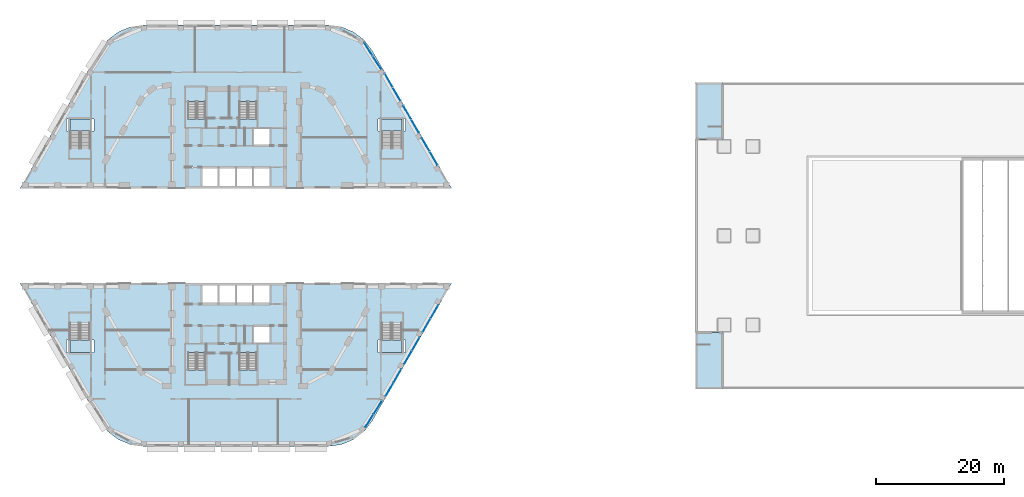
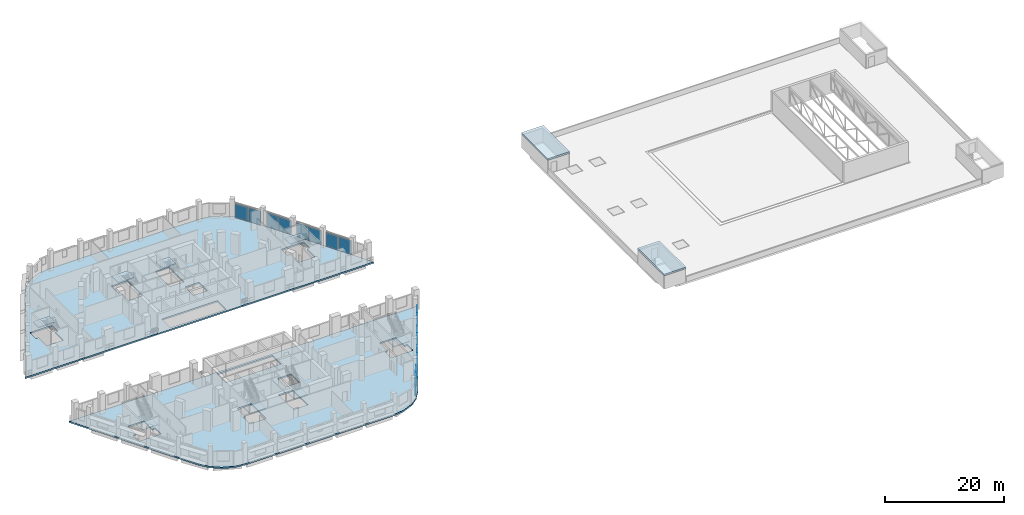
# One storey, part 14 of 33: 16 plates, 12 slabs, 16 elements without a shape of their own.
"""IFC4 building model written with IfcOpenShell, lengths in metres."""

from ifc_helpers import new_model, si_unit, direction, frame, origin, origin_2d, place, context, subcontext, project, spatial, polyline, rectangle, outline, extrude, material, layer, layer_set, type_object, element, aggregate, save


model = new_model("IFC4")

# Units and contexts
model_context = context("Model", 3, precision=1e-05, world=origin(), true_north=direction((0.0, 1.0)))
body_context = subcontext(model_context, "Body", "Model", "MODEL_VIEW")
ifc_project = project(units=[si_unit("LENGTHUNIT", "METRE"), si_unit("AREAUNIT", "SQUARE_METRE"), si_unit("VOLUMEUNIT", "CUBIC_METRE"), si_unit("PLANEANGLEUNIT", "RADIAN"), si_unit("MASSUNIT", "GRAM", prefix="KILO")], contexts=[model_context])

# Site, building, storey
site_placement = place(None, origin())
site = spatial("IfcSite", under=ifc_project, at=site_placement, CompositionType="ELEMENT")
building_placement = place(site_placement, origin())
building = spatial("IfcBuilding", under=site, at=building_placement, Name="Nakaniwa Court", CompositionType="ELEMENT")
storey_placement = place(building_placement, frame((0.0, 0.0, 19.800048828125)))
storey = spatial("IfcBuildingStorey", under=building, at=storey_placement, Name="L04", CompositionType="ELEMENT", Elevation=19.800048828125)

# Slabs
ifc_material_1 = material(Name="Concrete C100/115", Category="concrete")
ifc_layer_1 = layer(ifc_material_1, 0.300048828125)
ifc_layer_set_1 = layer_set([ifc_layer_1], Name="Concrete C100/115")
slab_type_1 = type_object("IfcSlabType", Name="Concrete C100/115 post tensioned floor slab 300", PredefinedType="FLOOR", material=ifc_layer_set_1)
slab_1_placement = place(storey_placement, frame((0.0, 0.0, -0.300048828125)))
element("IfcSlab", 1, at=slab_1_placement, inside=storey, type_object=slab_type_1, Name="FLOOR SLAB", PredefinedType="FLOOR", context=body_context, shape_type="SweptSolid", body=[
    extrude(outline(polyline([(101.362060546875, 51.0), (113.832763671875, 72.60009765625), (46.167236328125, 72.60009765625), (58.637939453125, 51.0), (59.909423828125, 49.343017578125), (61.566162109375, 48.07177734375), (63.49560546875, 47.272705078125), (65.566162109375, 47.0), (94.433837890625, 47.0), (96.50439453125, 47.272705078125), (98.433837890625, 48.07177734375), (100.090576171875, 49.343017578125), (101.362060546875, 51.0)]), holes=[polyline([(72.0849609375, 59.014892578125), (72.0849609375, 56.68505859375), (75.264892578125, 56.68505859375), (75.264892578125, 59.014892578125), (75.22509765625, 59.014892578125), (75.22509765625, 61.7099609375), (72.47509765625, 61.7099609375), (72.47509765625, 59.014892578125), (72.0849609375, 59.014892578125)]), polyline([(53.93505859375, 61.675048828125), (53.93505859375, 61.635009765625), (57.215087890625, 61.635009765625), (57.215087890625, 61.675048828125), (57.72509765625, 61.675048828125), (57.72509765625, 63.625), (57.215087890625, 63.625), (57.215087890625, 63.6650390625), (57.125, 63.6650390625), (57.125, 66.360107421875), (53.97509765625, 66.360107421875), (53.97509765625, 63.6650390625), (53.93505859375, 63.6650390625), (53.93505859375, 63.625), (53.425048828125, 63.625), (53.425048828125, 61.675048828125), (53.93505859375, 61.675048828125)]), polyline([(77.300048828125, 69.300048828125), (80.0, 69.300048828125), (82.699951171875, 69.300048828125), (85.39990234375, 69.300048828125), (85.39990234375, 72.199951171875), (82.699951171875, 72.199951171875), (80.0, 72.199951171875), (77.300048828125, 72.199951171875), (74.60009765625, 72.199951171875), (74.60009765625, 69.300048828125), (77.300048828125, 69.300048828125)]), polyline([(80.52490234375, 57.324951171875), (80.635009765625, 57.324951171875), (80.635009765625, 56.68505859375), (83.31494140625, 56.68505859375), (83.31494140625, 59.014892578125), (83.27490234375, 59.014892578125), (83.27490234375, 61.7099609375), (80.52490234375, 61.7099609375), (80.52490234375, 57.324951171875)]), polyline([(102.784912109375, 61.675048828125), (102.784912109375, 61.635009765625), (106.06494140625, 61.635009765625), (106.06494140625, 61.675048828125), (106.574951171875, 61.675048828125), (106.574951171875, 63.625), (106.06494140625, 63.625), (106.06494140625, 63.6650390625), (105.97509765625, 63.6650390625), (105.97509765625, 66.360107421875), (102.824951171875, 66.360107421875), (102.824951171875, 63.6650390625), (102.784912109375, 63.6650390625), (102.784912109375, 63.625), (102.27490234375, 63.625), (102.27490234375, 61.675048828125), (102.784912109375, 61.675048828125)]), polyline([(85.39990234375, 63.10009765625), (85.39990234375, 65.89990234375), (82.699951171875, 65.89990234375), (82.699951171875, 63.10009765625), (85.39990234375, 63.10009765625)])]), origin(), (0.0, 0.0, 1.0), 0.300048828125),
])
slab_2_placement = place(storey_placement, frame((0.0, 0.0, -0.300048828125)))
element("IfcSlab", 2, at=slab_2_placement, inside=storey, type_object=slab_type_1, Name="FLOOR SLAB", PredefinedType="FLOOR", context=body_context, shape_type="SweptSolid", body=[
    extrude(outline(polyline([(58.637939453125, 109.0), (46.167236328125, 87.39990234375), (113.832763671875, 87.39990234375), (101.362060546875, 109.0), (100.090576171875, 110.656982421875), (98.433837890625, 111.92822265625), (96.50439453125, 112.727294921875), (94.433837890625, 113.0), (65.566162109375, 113.0), (63.49560546875, 112.727294921875), (61.566162109375, 111.92822265625), (59.909423828125, 110.656982421875), (58.637939453125, 109.0)]), holes=[polyline([(82.699951171875, 90.699951171875), (80.0, 90.699951171875), (77.300048828125, 90.699951171875), (74.60009765625, 90.699951171875), (74.60009765625, 87.800048828125), (77.300048828125, 87.800048828125), (80.0, 87.800048828125), (82.699951171875, 87.800048828125), (85.39990234375, 87.800048828125), (85.39990234375, 90.699951171875), (82.699951171875, 90.699951171875)]), polyline([(57.175048828125, 96.3349609375), (57.215087890625, 96.3349609375), (57.215087890625, 96.375), (57.72509765625, 96.375), (57.72509765625, 98.324951171875), (57.215087890625, 98.324951171875), (57.215087890625, 98.364990234375), (53.93505859375, 98.364990234375), (53.93505859375, 98.324951171875), (53.425048828125, 98.324951171875), (53.425048828125, 96.375), (53.93505859375, 96.375), (53.93505859375, 96.3349609375), (54.02490234375, 96.3349609375), (54.02490234375, 93.639892578125), (57.175048828125, 93.639892578125), (57.175048828125, 96.3349609375)]), polyline([(75.264892578125, 100.985107421875), (75.264892578125, 103.31494140625), (72.0849609375, 103.31494140625), (72.0849609375, 100.985107421875), (72.47509765625, 100.985107421875), (72.47509765625, 98.2900390625), (75.22509765625, 98.2900390625), (75.22509765625, 100.985107421875), (75.264892578125, 100.985107421875)]), polyline([(85.39990234375, 94.10009765625), (85.39990234375, 96.89990234375), (82.699951171875, 96.89990234375), (82.699951171875, 94.10009765625), (85.39990234375, 94.10009765625)]), polyline([(106.02490234375, 96.3349609375), (106.06494140625, 96.3349609375), (106.06494140625, 96.375), (106.574951171875, 96.375), (106.574951171875, 98.324951171875), (106.06494140625, 98.324951171875), (106.06494140625, 98.364990234375), (102.784912109375, 98.364990234375), (102.784912109375, 98.324951171875), (102.27490234375, 98.324951171875), (102.27490234375, 96.375), (102.784912109375, 96.375), (102.784912109375, 96.3349609375), (102.875, 96.3349609375), (102.875, 93.639892578125), (106.02490234375, 93.639892578125), (106.02490234375, 96.3349609375)]), polyline([(83.27490234375, 100.985107421875), (83.31494140625, 100.985107421875), (83.31494140625, 103.31494140625), (80.635009765625, 103.31494140625), (80.635009765625, 102.675048828125), (80.52490234375, 102.675048828125), (80.52490234375, 98.2900390625), (83.27490234375, 98.2900390625), (83.27490234375, 100.985107421875)])]), origin(), (0.0, 0.0, 1.0), 0.300048828125),
])
ifc_material_2 = material(Name="Concrete C40/50", Category="concrete")
ifc_layer_2 = layer(ifc_material_2, 0.35009765625)
ifc_layer_set_2 = layer_set([ifc_layer_2], Name="Concrete C40/50")
slab_type_2 = type_object("IfcSlabType", Name="Hall roof slab 350", PredefinedType="ROOF", material=ifc_layer_set_2)
slab_3_placement = place(storey_placement, frame((0.0, 0.0, 2.75)))
element("IfcSlab", 3, at=slab_3_placement, inside=storey, type_object=slab_type_2, Name="Stair 1 head house roof", PredefinedType="ROOF", context=body_context, shape_type="SweptSolid", body=[
    extrude(outline(polyline([(156.300048828125, 56.02490234375), (156.300048828125, 64.909912109375), (152.02490234375, 64.909912109375), (152.02490234375, 56.02490234375), (156.300048828125, 56.02490234375)])), origin(), (0.0, 0.0, 1.0), 0.349853515625),
])
slab_4_placement = place(storey_placement, frame((0.0, 0.0, 2.75)))
element("IfcSlab", 4, at=slab_4_placement, inside=storey, type_object=slab_type_2, Name="Stair 2 head house roof", PredefinedType="ROOF", context=body_context, shape_type="SweptSolid", body=[
    extrude(outline(polyline([(156.300048828125, 95.090087890625), (156.300048828125, 103.97509765625), (152.02490234375, 103.97509765625), (152.02490234375, 95.090087890625), (156.300048828125, 95.090087890625)])), origin(), (0.0, 0.0, 1.0), 0.349853515625),
])

# Curtain wall, plates
ifc_material_3 = material(Name="Black anodised aluminium frame with dark low-E laminated double glazing", Category="aluminium")
ifc_layer_3 = layer(ifc_material_3, 0.199951171875)
ifc_layer_set_3 = layer_set([ifc_layer_3], Name="Black anodised aluminium frame with dark low-E laminated double glazing")
curtain_wall_type = type_object("IfcCurtainWallType", Name="Podium unitised curtain wall", PredefinedType="NOTDEFINED", material=ifc_layer_set_3)
curtain_wall_1_placement = place(storey_placement, origin())
curtain_wall_1 = element("IfcCurtainWall", 5, at=curtain_wall_1_placement, inside=storey, type_object=curtain_wall_type, Name="L04 curtain wall CW1 00", PredefinedType="NOTDEFINED")
ifc_material_4 = material(Name="Dark toughened glass", Category="glass")
ifc_layer_4 = layer(ifc_material_4, 0.008, Name="Outer pane")
ifc_material_5 = material(Name="Argon filled cavity")
ifc_layer_5 = layer(ifc_material_5, 0.016, Name="Cavity")
ifc_material_6 = material(Name="Dark laminated safety glass", Category="glass")
ifc_layer_6 = layer(ifc_material_6, 0.008, Name="Inner pane")
ifc_layer_set_4 = layer_set([ifc_layer_4, ifc_layer_5, ifc_layer_6], Name="Dark low-E laminated double glazing")
plate_type = type_object("IfcPlateType", Name="Podium unitised curtain wall glass panel", PredefinedType="CURTAIN_PANEL", material=ifc_layer_set_4)
plate_1_placement = place(storey_placement, frame((104.056640625, 55.8671875, 0.050048828125), z_axis=(0.0, 0.0, 1.0), x_axis=(0.499979299736, 0.866037354758, 0.0)))
plate_1 = element("IfcPlate", 6, at=plate_1_placement, type_object=plate_type, Name="CW1 panel 1.1", PredefinedType="CURTAIN_PANEL", context=body_context, shape_type="SweptSolid", body=[
    extrude(rectangle(XDim=2.40771484375, YDim=0.031982421875, at=origin_2d()), origin(), (0.0, 0.0, 1.0), 2.89990234375),
])
plate_2_placement = place(storey_placement, frame((105.29296875, 58.008544921875, 0.050048828125), z_axis=(0.0, 0.0, 1.0), x_axis=(0.499979299736, 0.866037354758, 0.0)))
plate_2 = element("IfcPlate", 7, at=plate_2_placement, type_object=plate_type, Name="CW1 panel 2.1", PredefinedType="CURTAIN_PANEL", context=body_context, shape_type="SweptSolid", body=[
    extrude(rectangle(XDim=2.40771484375, YDim=0.031982421875, at=origin_2d()), origin(), (0.0, 0.0, 1.0), 2.89990234375),
])
aggregate(curtain_wall_1, [plate_1, plate_2])

curtain_wall_2_placement = place(storey_placement, origin())
curtain_wall_2 = element("IfcCurtainWall", 8, at=curtain_wall_2_placement, inside=storey, type_object=curtain_wall_type, Name="L04 curtain wall CW1 01", PredefinedType="NOTDEFINED")
plate_3_placement = place(storey_placement, frame((106.957763671875, 60.89208984375, 0.050048828125), z_axis=(0.0, 0.0, 1.0), x_axis=(0.499987941889, 0.866032365426, 0.0)))
plate_3 = element("IfcPlate", 9, at=plate_3_placement, type_object=plate_type, Name="CW1 panel 1.1", PredefinedType="CURTAIN_PANEL", context=body_context, shape_type="SweptSolid", body=[
    extrude(rectangle(XDim=2.40771484375, YDim=0.031982421875, at=origin_2d()), origin(), (0.0, 0.0, 1.0), 2.89990234375),
])
plate_4_placement = place(storey_placement, frame((108.194091796875, 63.033447265625, 0.050048828125), z_axis=(0.0, 0.0, 1.0), x_axis=(0.499987941889, 0.866032365426, 0.0)))
plate_4 = element("IfcPlate", 10, at=plate_4_placement, type_object=plate_type, Name="CW1 panel 2.1", PredefinedType="CURTAIN_PANEL", context=body_context, shape_type="SweptSolid", body=[
    extrude(rectangle(XDim=2.40771484375, YDim=0.031982421875, at=origin_2d()), origin(), (0.0, 0.0, 1.0), 2.89990234375),
])
aggregate(curtain_wall_2, [plate_3, plate_4])

curtain_wall_3_placement = place(storey_placement, origin())
curtain_wall_3 = element("IfcCurtainWall", 11, at=curtain_wall_3_placement, inside=storey, type_object=curtain_wall_type, Name="L04 curtain wall CW1 02", PredefinedType="NOTDEFINED")
plate_5_placement = place(storey_placement, frame((109.85888671875, 65.9169921875, 0.050048828125), z_axis=(0.0, 0.0, 1.0), x_axis=(0.500002911009, 0.866023723106, 0.0)))
plate_5 = element("IfcPlate", 12, at=plate_5_placement, type_object=plate_type, Name="CW1 panel 1.1", PredefinedType="CURTAIN_PANEL", context=body_context, shape_type="SweptSolid", body=[
    extrude(rectangle(XDim=2.40771484375, YDim=0.031982421875, at=origin_2d()), origin(), (0.0, 0.0, 1.0), 2.89990234375),
])
plate_6_placement = place(storey_placement, frame((111.09521484375, 68.058349609375, 0.050048828125), z_axis=(0.0, 0.0, 1.0), x_axis=(0.500002911009, 0.866023723106, 0.0)))
plate_6 = element("IfcPlate", 13, at=plate_6_placement, type_object=plate_type, Name="CW1 panel 2.1", PredefinedType="CURTAIN_PANEL", context=body_context, shape_type="SweptSolid", body=[
    extrude(rectangle(XDim=2.40771484375, YDim=0.031982421875, at=origin_2d()), origin(), (0.0, 0.0, 1.0), 2.89990234375),
])
aggregate(curtain_wall_3, [plate_5, plate_6])

curtain_wall_4_placement = place(storey_placement, origin())
curtain_wall_4 = element("IfcCurtainWall", 14, at=curtain_wall_4_placement, inside=storey, type_object=curtain_wall_type, Name="L04 curtain wall CW1 26", PredefinedType="NOTDEFINED")
plate_7_placement = place(storey_placement, frame((100.89794921875, 50.982177734375, 0.050048828125), z_axis=(0.0, 0.0, 1.0), x_axis=(0.534596725914, 0.845107295343, 0.0)))
plate_7 = element("IfcPlate", 15, at=plate_7_placement, type_object=plate_type, Name="CW1 panel 1.1", PredefinedType="CURTAIN_PANEL", context=body_context, shape_type="SweptSolid", body=[
    extrude(rectangle(XDim=2.413330078125, YDim=0.031982421875, at=origin_2d()), origin(), (0.0, 0.0, 1.0), 2.89990234375),
])
plate_8_placement = place(storey_placement, frame((102.222900390625, 53.07666015625, 0.050048828125), z_axis=(0.0, 0.0, 1.0), x_axis=(0.534596725914, 0.845107295343, 0.0)))
plate_8 = element("IfcPlate", 16, at=plate_8_placement, type_object=plate_type, Name="CW1 panel 2.1", PredefinedType="CURTAIN_PANEL", context=body_context, shape_type="SweptSolid", body=[
    extrude(rectangle(XDim=2.413330078125, YDim=0.031982421875, at=origin_2d()), origin(), (0.0, 0.0, 1.0), 2.89990234375),
])
aggregate(curtain_wall_4, [plate_7, plate_8])

curtain_wall_5_placement = place(storey_placement, origin())
curtain_wall_5 = element("IfcCurtainWall", 17, at=curtain_wall_5_placement, inside=storey, type_object=curtain_wall_type, Name="L04 curtain wall CW1 40", PredefinedType="NOTDEFINED")
plate_9_placement = place(storey_placement, frame((110.993896484375, 92.1171875, 0.050048828125), z_axis=(0.0, 0.0, 1.0), x_axis=(-0.499987941889, 0.866032365426, 0.0)))
plate_9 = element("IfcPlate", 18, at=plate_9_placement, type_object=plate_type, Name="CW1 panel 1.1", PredefinedType="CURTAIN_PANEL", context=body_context, shape_type="SweptSolid", body=[
    extrude(rectangle(XDim=2.40771484375, YDim=0.031982421875, at=origin_2d()), origin(), (0.0, 0.0, 1.0), 2.89990234375),
])
plate_10_placement = place(storey_placement, frame((109.757568359375, 94.258544921875, 0.050048828125), z_axis=(0.0, 0.0, 1.0), x_axis=(-0.499987941889, 0.866032365426, 0.0)))
plate_10 = element("IfcPlate", 19, at=plate_10_placement, type_object=plate_type, Name="CW1 panel 2.1", PredefinedType="CURTAIN_PANEL", context=body_context, shape_type="SweptSolid", body=[
    extrude(rectangle(XDim=2.40771484375, YDim=0.031982421875, at=origin_2d()), origin(), (0.0, 0.0, 1.0), 2.89990234375),
])
aggregate(curtain_wall_5, [plate_9, plate_10])

curtain_wall_6_placement = place(storey_placement, origin())
curtain_wall_6 = element("IfcCurtainWall", 20, at=curtain_wall_6_placement, inside=storey, type_object=curtain_wall_type, Name="L04 curtain wall CW1 41", PredefinedType="NOTDEFINED")
plate_11_placement = place(storey_placement, frame((108.0927734375, 97.14208984375, 0.050048828125), z_axis=(0.0, 0.0, 1.0), x_axis=(-0.499994268761, 0.866028712692, 0.0)))
plate_11 = element("IfcPlate", 21, at=plate_11_placement, type_object=plate_type, Name="CW1 panel 1.1", PredefinedType="CURTAIN_PANEL", context=body_context, shape_type="SweptSolid", body=[
    extrude(rectangle(XDim=2.40771484375, YDim=0.031982421875, at=origin_2d()), origin(), (0.0, 0.0, 1.0), 2.89990234375),
])
plate_12_placement = place(storey_placement, frame((106.8564453125, 99.283447265625, 0.050048828125), z_axis=(0.0, 0.0, 1.0), x_axis=(-0.499994268761, 0.866028712692, 0.0)))
plate_12 = element("IfcPlate", 22, at=plate_12_placement, type_object=plate_type, Name="CW1 panel 2.1", PredefinedType="CURTAIN_PANEL", context=body_context, shape_type="SweptSolid", body=[
    extrude(rectangle(XDim=2.40771484375, YDim=0.031982421875, at=origin_2d()), origin(), (0.0, 0.0, 1.0), 2.89990234375),
])
aggregate(curtain_wall_6, [plate_11, plate_12])

curtain_wall_7_placement = place(storey_placement, origin())
curtain_wall_7 = element("IfcCurtainWall", 23, at=curtain_wall_7_placement, inside=storey, type_object=curtain_wall_type, Name="L04 curtain wall CW1 42", PredefinedType="NOTDEFINED")
plate_13_placement = place(storey_placement, frame((105.19140625, 102.1669921875, 0.050048828125), z_axis=(0.0, 0.0, 1.0), x_axis=(-0.499987941889, 0.866032365426, 0.0)))
plate_13 = element("IfcPlate", 24, at=plate_13_placement, type_object=plate_type, Name="CW1 panel 1.1", PredefinedType="CURTAIN_PANEL", context=body_context, shape_type="SweptSolid", body=[
    extrude(rectangle(XDim=2.40771484375, YDim=0.031982421875, at=origin_2d()), origin(), (0.0, 0.0, 1.0), 2.89990234375),
])
plate_14_placement = place(storey_placement, frame((103.955078125, 104.308349609375, 0.050048828125), z_axis=(0.0, 0.0, 1.0), x_axis=(-0.499987941889, 0.866032365426, 0.0)))
plate_14 = element("IfcPlate", 25, at=plate_14_placement, type_object=plate_type, Name="CW1 panel 2.1", PredefinedType="CURTAIN_PANEL", context=body_context, shape_type="SweptSolid", body=[
    extrude(rectangle(XDim=2.40771484375, YDim=0.031982421875, at=origin_2d()), origin(), (0.0, 0.0, 1.0), 2.89990234375),
])
aggregate(curtain_wall_7, [plate_13, plate_14])

curtain_wall_8_placement = place(storey_placement, origin())
curtain_wall_8 = element("IfcCurtainWall", 26, at=curtain_wall_8_placement, inside=storey, type_object=curtain_wall_type, Name="L04 curtain wall CW1 43", PredefinedType="NOTDEFINED")
plate_15_placement = place(storey_placement, frame((102.109619140625, 107.10205078125, 0.050048828125), z_axis=(0.0, 0.0, 1.0), x_axis=(-0.537644342899, 0.843171726606, 0.0)))
plate_15 = element("IfcPlate", 27, at=plate_15_placement, type_object=plate_type, Name="CW1 panel 1.1", PredefinedType="CURTAIN_PANEL", context=body_context, shape_type="SweptSolid", body=[
    extrude(rectangle(XDim=2.4306640625, YDim=0.031982421875, at=origin_2d()), origin(), (0.0, 0.0, 1.0), 2.89990234375),
])
plate_16_placement = place(storey_placement, frame((100.767822265625, 109.20654296875, 0.050048828125), z_axis=(0.0, 0.0, 1.0), x_axis=(-0.537644342899, 0.843171726606, 0.0)))
plate_16 = element("IfcPlate", 28, at=plate_16_placement, type_object=plate_type, Name="CW1 panel 2.1", PredefinedType="CURTAIN_PANEL", context=body_context, shape_type="SweptSolid", body=[
    extrude(rectangle(XDim=2.4306640625, YDim=0.031982421875, at=origin_2d()), origin(), (0.0, 0.0, 1.0), 2.89990234375),
])
aggregate(curtain_wall_8, [plate_15, plate_16])

# Stair, slab
ifc_material_7 = material(Name="Concrete C80/100", Category="concrete")
stair_type_1 = type_object("IfcStairType", Name="Dog leg stair 1300 wide 24 risers", PredefinedType="HALF_TURN_STAIR", material=ifc_material_7)
stair_1_placement = place(storey_placement, origin())
stair_1 = element("IfcStair", 29, at=stair_1_placement, inside=storey, type_object=stair_type_1, Name="L04 Stair ST1", PredefinedType="HALF_TURN_STAIR")
ifc_layer_7 = layer(ifc_material_7, 0.199951171875)
ifc_layer_set_5 = layer_set([ifc_layer_7], Name="Concrete C80/100")
slab_type_3 = type_object("IfcSlabType", Name="Stair landing concrete", PredefinedType="LANDING", material=ifc_layer_set_5)
slab_5_placement = place(storey_placement, frame((0.0, 0.0, 1.89990234375)))
slab_5 = element("IfcSlab", 30, at=slab_5_placement, type_object=slab_type_3, Name="ST1 landing 1", PredefinedType="LANDING", context=body_context, shape_type="SweptSolid", body=[
    extrude(outline(polyline([(75.22509765625, 101.02490234375), (75.22509765625, 103.27490234375), (72.125, 103.27490234375), (72.125, 101.02490234375), (75.22509765625, 101.02490234375)])), origin(), (0.0, 0.0, 1.0), 0.199951171875),
])
aggregate(stair_1, [slab_5])

stair_2_placement = place(storey_placement, origin())
stair_2 = element("IfcStair", 31, at=stair_2_placement, inside=storey, type_object=stair_type_1, Name="L04 Stair ST2", PredefinedType="HALF_TURN_STAIR")
slab_6_placement = place(storey_placement, frame((0.0, 0.0, 1.89990234375)))
slab_6 = element("IfcSlab", 32, at=slab_6_placement, type_object=slab_type_3, Name="ST2 landing 1", PredefinedType="LANDING", context=body_context, shape_type="SweptSolid", body=[
    extrude(outline(polyline([(83.27490234375, 101.02490234375), (83.27490234375, 103.27490234375), (80.675048828125, 103.27490234375), (80.675048828125, 101.02490234375), (83.27490234375, 101.02490234375)])), origin(), (0.0, 0.0, 1.0), 0.199951171875),
])
aggregate(stair_2, [slab_6])

stair_3_placement = place(storey_placement, origin())
stair_3 = element("IfcStair", 33, at=stair_3_placement, inside=storey, type_object=stair_type_1, Name="L04 Stair ST3", PredefinedType="HALF_TURN_STAIR")
slab_7_placement = place(storey_placement, frame((0.0, 0.0, 1.89990234375)))
slab_7 = element("IfcSlab", 34, at=slab_7_placement, type_object=slab_type_3, Name="ST3 landing 1", PredefinedType="LANDING", context=body_context, shape_type="SweptSolid", body=[
    extrude(outline(polyline([(75.22509765625, 56.72509765625), (75.22509765625, 58.97509765625), (72.125, 58.97509765625), (72.125, 56.72509765625), (75.22509765625, 56.72509765625)])), origin(), (0.0, 0.0, 1.0), 0.199951171875),
])
aggregate(stair_3, [slab_7])

stair_4_placement = place(storey_placement, origin())
stair_4 = element("IfcStair", 35, at=stair_4_placement, inside=storey, type_object=stair_type_1, Name="L04 Stair ST4", PredefinedType="HALF_TURN_STAIR")
slab_8_placement = place(storey_placement, frame((0.0, 0.0, 1.89990234375)))
slab_8 = element("IfcSlab", 36, at=slab_8_placement, type_object=slab_type_3, Name="ST4 landing 1", PredefinedType="LANDING", context=body_context, shape_type="SweptSolid", body=[
    extrude(outline(polyline([(83.27490234375, 56.72509765625), (83.27490234375, 58.97509765625), (80.675048828125, 58.97509765625), (80.675048828125, 56.72509765625), (83.27490234375, 56.72509765625)])), origin(), (0.0, 0.0, 1.0), 0.199951171875),
])
aggregate(stair_4, [slab_8])

stair_type_2 = type_object("IfcStairType", Name="Dog leg stair 1500 wide 24 risers", PredefinedType="HALF_TURN_STAIR", material=ifc_material_7)
stair_5_placement = place(storey_placement, origin())
stair_5 = element("IfcStair", 37, at=stair_5_placement, inside=storey, type_object=stair_type_2, Name="L04 Stair SS1", PredefinedType="HALF_TURN_STAIR")
slab_9_placement = place(storey_placement, frame((0.0, 0.0, 1.89990234375)))
slab_9 = element("IfcSlab", 38, at=slab_9_placement, type_object=slab_type_3, Name="SS1 landing 1", PredefinedType="LANDING", context=body_context, shape_type="SweptSolid", body=[
    extrude(outline(polyline([(106.02490234375, 96.375), (106.02490234375, 98.324951171875), (102.824951171875, 98.324951171875), (102.824951171875, 96.375), (106.02490234375, 96.375)])), origin(), (0.0, 0.0, 1.0), 0.199951171875),
])
aggregate(stair_5, [slab_9])

stair_6_placement = place(storey_placement, origin())
stair_6 = element("IfcStair", 39, at=stair_6_placement, inside=storey, type_object=stair_type_2, Name="L04 Stair SS2", PredefinedType="HALF_TURN_STAIR")
slab_10_placement = place(storey_placement, frame((0.0, 0.0, 1.89990234375)))
slab_10 = element("IfcSlab", 40, at=slab_10_placement, type_object=slab_type_3, Name="SS2 landing 1", PredefinedType="LANDING", context=body_context, shape_type="SweptSolid", body=[
    extrude(outline(polyline([(57.175048828125, 96.375), (57.175048828125, 98.324951171875), (53.97509765625, 98.324951171875), (53.97509765625, 96.375), (57.175048828125, 96.375)])), origin(), (0.0, 0.0, 1.0), 0.199951171875),
])
aggregate(stair_6, [slab_10])

stair_7_placement = place(storey_placement, origin())
stair_7 = element("IfcStair", 41, at=stair_7_placement, inside=storey, type_object=stair_type_2, Name="L04 Stair SS3", PredefinedType="HALF_TURN_STAIR")
slab_11_placement = place(storey_placement, frame((0.0, 0.0, 1.89990234375)))
slab_11 = element("IfcSlab", 42, at=slab_11_placement, type_object=slab_type_3, Name="SS3 landing 1", PredefinedType="LANDING", context=body_context, shape_type="SweptSolid", body=[
    extrude(outline(polyline([(106.02490234375, 61.675048828125), (106.02490234375, 63.625), (102.824951171875, 63.625), (102.824951171875, 61.675048828125), (106.02490234375, 61.675048828125)])), origin(), (0.0, 0.0, 1.0), 0.199951171875),
])
aggregate(stair_7, [slab_11])

stair_8_placement = place(storey_placement, origin())
stair_8 = element("IfcStair", 43, at=stair_8_placement, inside=storey, type_object=stair_type_2, Name="L04 Stair SS4", PredefinedType="HALF_TURN_STAIR")
slab_12_placement = place(storey_placement, frame((0.0, 0.0, 1.89990234375)))
slab_12 = element("IfcSlab", 44, at=slab_12_placement, type_object=slab_type_3, Name="SS4 landing 1", PredefinedType="LANDING", context=body_context, shape_type="SweptSolid", body=[
    extrude(outline(polyline([(57.175048828125, 61.675048828125), (57.175048828125, 63.625), (53.97509765625, 63.625), (53.97509765625, 61.675048828125), (57.175048828125, 61.675048828125)])), origin(), (0.0, 0.0, 1.0), 0.199951171875),
])
aggregate(stair_8, [slab_12])

save(model, "model.ifc")
